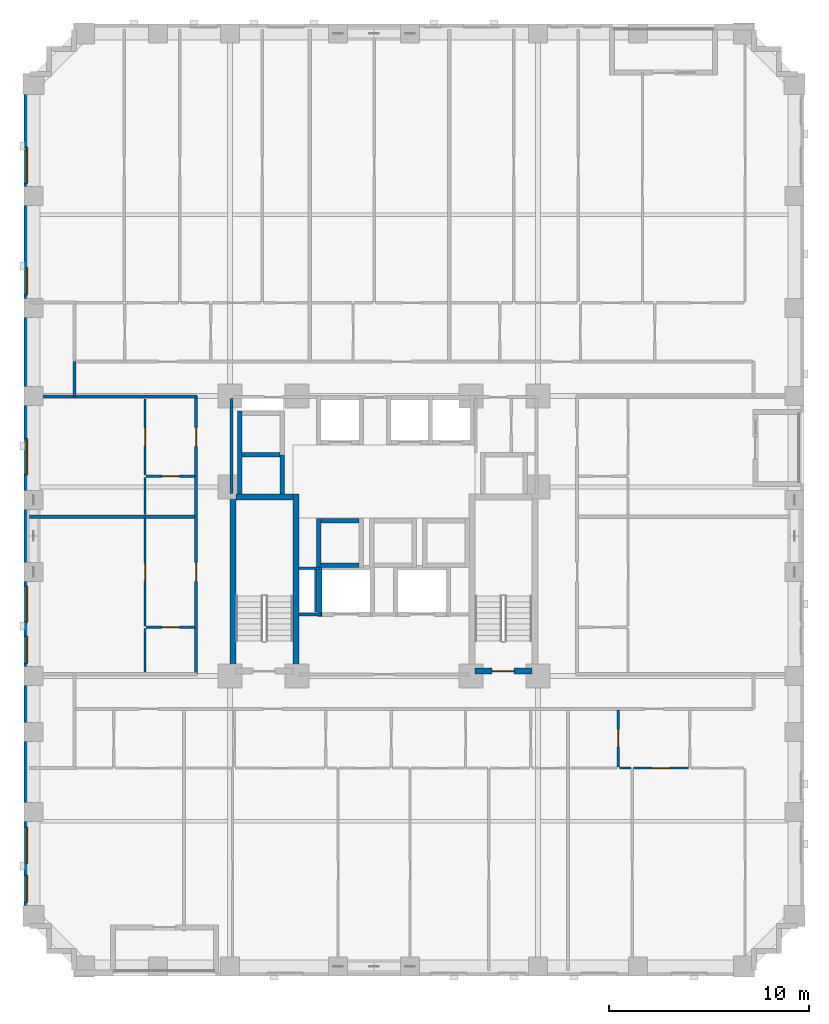
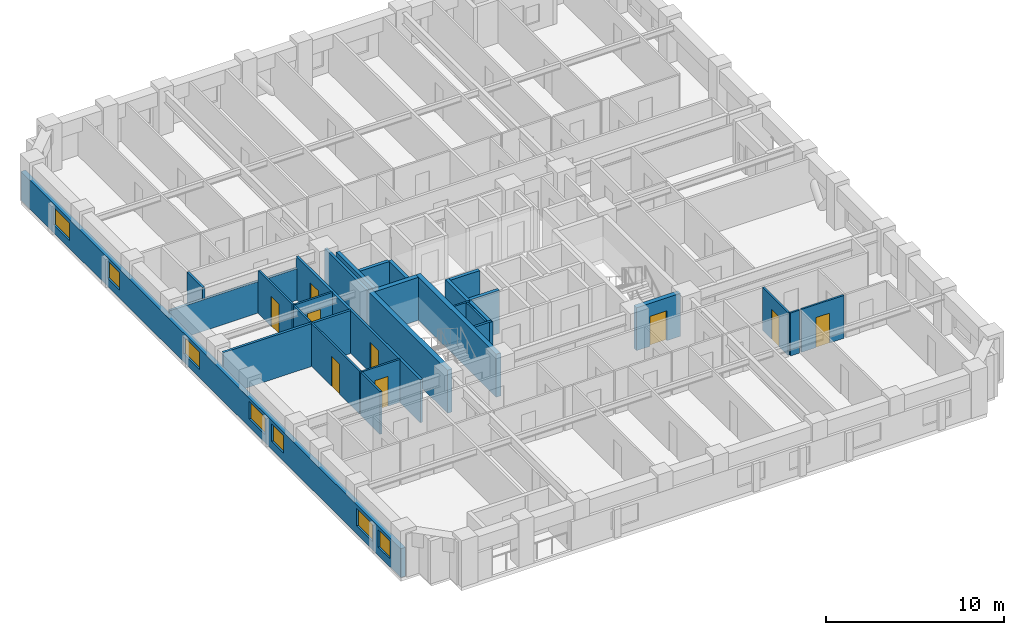
# One storey, part 4 of 13: 29 walls, 9 doors, 7 windows, 16 openings.
"""IFC4 building model written with IfcOpenShell, lengths in metres."""

from ifc_helpers import new_model, si_unit, derived_unit, direction, frame, frame_2d, origin, place, context, subcontext, project, spatial, rectangle, extrude, material, layer, layer_set, type_object, element, fill, save


model = new_model("IFC4")

# Units and contexts
model_context = context("Model", 3, precision=1e-05, world=origin(), true_north=direction((0.0, 1.0)))
body_context = subcontext(model_context, "Body", "Model", "MODEL_VIEW")
ifc_project = project(units=[si_unit("LENGTHUNIT", "METRE"), si_unit("AREAUNIT", "SQUARE_METRE"), si_unit("VOLUMEUNIT", "CUBIC_METRE"), si_unit("PLANEANGLEUNIT", "RADIAN"), si_unit("MASSUNIT", "GRAM", prefix="KILO"), derived_unit("THERMALTRANSMITTANCEUNIT", [(si_unit("MASSUNIT", "GRAM", prefix="KILO"), 1), (si_unit("TIMEUNIT", "SECOND"), -3), (si_unit("THERMODYNAMICTEMPERATUREUNIT", "KELVIN"), -1)])], contexts=[model_context])

# Site, building, storey
site_placement = place(None, origin())
site = spatial("IfcSite", under=ifc_project, at=site_placement, CompositionType="ELEMENT")
building_placement = place(site_placement, origin())
building = spatial("IfcBuilding", under=site, at=building_placement, Name="Korrvale Station Residences", CompositionType="ELEMENT")
storey_placement = place(building_placement, frame((0.0, 0.0, 32.199951171875)))
storey = spatial("IfcBuildingStorey", under=building, at=storey_placement, Name="L07", CompositionType="ELEMENT", Elevation=32.199951171875)

# Walls
ifc_material_1 = material(Name="Concrete C70/85", Category="concrete")
ifc_layer_1 = layer(ifc_material_1, 0.300048828125, Name="Concrete C70/85")
ifc_layer_set_1 = layer_set([ifc_layer_1], Name="Concrete C70/85")
wall_type_1 = type_object("IfcWallType", Name="WAL-CORE-300-C70", PredefinedType="SHEAR", material=ifc_layer_set_1)
for number, where, z_axis, x_axis, name in (
    (1, (17.949951171875, 15.10009765625, 0.0), (0.0, 0.0, 1.0), (0.0, 1.0, 0.0), "L07 ST-1 Core Shear Wall West"),
    (2, (21.10009765625, 15.10009765625, 0.0), (0.0, 0.0, 1.0), (0.0, 1.0, 0.0), "L07 ST-1 Core Shear Wall East"),
):
    element("IfcWall", number, at=place(storey_placement, frame(where, z_axis=z_axis, x_axis=x_axis)), inside=storey, type_object=wall_type_1, Name=name, PredefinedType="SHEAR", context=body_context, shape_type="SweptSolid", body=[
        extrude(rectangle(XDim=9.0, YDim=0.300048828125, at=frame_2d((4.5, 0.0))), origin(), (0.0, 0.0, 1.0), 2.93994140625),
    ])
wall_1_placement = place(storey_placement, frame((18.10009765625, 23.949951171875, 0.0), z_axis=(0.0, 0.0, 1.0), x_axis=(1.0, 0.0, 0.0)))
element("IfcWall", 3, at=wall_1_placement, inside=storey, type_object=wall_type_1, Name="L07 ST-1 Core Shear Wall North", PredefinedType="SHEAR", context=body_context, shape_type="SweptSolid", body=[
    extrude(rectangle(XDim=2.849853515625, YDim=0.300048828125, at=frame_2d((1.4248046875, 0.0))), origin(), (0.0, 0.0, 1.0), 2.93994140625),
])

# Wall, opening, door
wall_2_placement = place(storey_placement, frame((30.050048828125, 15.25, 0.0), z_axis=(0.0, 0.0, 1.0), x_axis=(1.0, 0.0, 0.0)))
wall_2 = element("IfcWall", 4, at=wall_2_placement, inside=storey, type_object=wall_type_1, Name="L07 ST-2 Core Shear Wall South", PredefinedType="SHEAR", context=body_context, shape_type="SweptSolid", body=[
    extrude(rectangle(XDim=2.849853515625, YDim=0.300048828125, at=frame_2d((1.4248046875, 0.0))), origin(), (0.0, 0.0, 1.0), 2.93994140625),
])
opening_1_placement = place(wall_2_placement, frame((0.860107421875, 0.0, 0.0)))
opening_1 = element("IfcOpeningElement", 5, at=opening_1_placement, cuts=wall_2, Name="Opening SD-1100", PredefinedType="OPENING", context=body_context, shape_type="SweptSolid", body=[
    extrude(rectangle(XDim=1.10009765625, YDim=2.050048828125, at=frame_2d((0.550048828125, 1.02490234375))), frame((0.0, 0.16015625, 0.0), z_axis=(0.0, -1.0, 0.0), x_axis=(1.0, 0.0, 0.0)), (0.0, 0.0, 1.0), 0.320068359375),
])
ifc_material_2 = material(Name="Hollow-metal fire-rated stair door with closer", Category="steel")
door_type_1 = type_object("IfcDoorType", Name="DR-STAIR-1100", OperationType="NOTDEFINED", PredefinedType="DOOR", material=ifc_material_2)
door_1_placement = place(opening_1_placement, origin())
door_1 = element("IfcDoor", 6, at=door_1_placement, inside=storey, type_object=door_type_1, Name="L07 ST-2 Exit Stair Door", OperationType="SINGLE_SWING_RIGHT", OverallHeight=2.050048828125, OverallWidth=1.10009765625, PredefinedType="DOOR", context=body_context, shape_type="SweptSolid", body=[
    extrude(rectangle(XDim=1.10009765625, YDim=2.050048828125, at=frame_2d((0.550048828125, 1.02490234375))), frame((0.0, 0.02490234375, 0.0), z_axis=(0.0, -1.0, 0.0), x_axis=(1.0, 0.0, 0.0)), (0.0, 0.0, 1.0), 0.050048828125),
])
fill(opening_1, door_1)

# Wall, openings, windows
ifc_material_3 = material(Name="Precast concrete C45/55", Category="concrete")
ifc_layer_2 = layer(ifc_material_3, 0.300048828125, Name="Precast concrete C45/55")
ifc_layer_set_2 = layer_set([ifc_layer_2], Name="Precast concrete C45/55")
wall_type_2 = type_object("IfcWallType", Name="WAL-EXT-PC300", PredefinedType="SOLIDWALL", material=ifc_layer_set_2)
wall_3_placement = place(storey_placement, frame((7.64990234375, 2.5, 0.0), z_axis=(0.0, 0.0, 1.0), x_axis=(0.0, 1.0, 0.0)))
wall_3 = element("IfcWall", 7, at=wall_3_placement, inside=storey, type_object=wall_type_2, Name="L07 West Exterior Precast Wall 1", PredefinedType="SOLIDWALL", context=body_context, shape_type="SweptSolid", body=[
    extrude(rectangle(XDim=42.60009765625, YDim=0.300048828125, at=frame_2d((21.300048828125, 0.0))), origin(), (0.0, 0.0, 1.0), 1.97509765625),
])
opening_2_placement = place(wall_3_placement, frame((3.14990234375, 0.0, 0.550048828125)))
opening_2 = element("IfcOpeningElement", 8, at=opening_2_placement, cuts=wall_3, Name="Opening W-09", PredefinedType="OPENING", context=body_context, shape_type="SweptSolid", body=[
    extrude(rectangle(XDim=1.800048828125, YDim=1.199951171875, at=frame_2d((0.89990234375, 0.60009765625))), frame((0.0, 0.16015625, 0.0), z_axis=(0.0, -1.0, 0.0), x_axis=(1.0, 0.0, 0.0)), (0.0, 0.0, 1.0), 0.320068359375),
])
opening_3_placement = place(wall_3_placement, frame((1.18505859375, 0.0, 0.550048828125)))
opening_3 = element("IfcOpeningElement", 9, at=opening_3_placement, cuts=wall_3, Name="Opening W-10", PredefinedType="OPENING", context=body_context, shape_type="SweptSolid", body=[
    extrude(rectangle(XDim=1.35009765625, YDim=1.199951171875, at=frame_2d((0.675048828125, 0.60009765625))), frame((0.0, 0.16015625, 0.0), z_axis=(0.0, -1.0, 0.0), x_axis=(1.0, 0.0, 0.0)), (0.0, 0.0, 1.0), 0.320068359375),
])
opening_4_placement = place(wall_3_placement, frame((37.135009765625, 0.0, 0.550048828125)))
opening_4 = element("IfcOpeningElement", 10, at=opening_4_placement, cuts=wall_3, Name="Opening W-09", PredefinedType="OPENING", context=body_context, shape_type="SweptSolid", body=[
    extrude(rectangle(XDim=1.800048828125, YDim=1.199951171875, at=frame_2d((0.89990234375, 0.60009765625))), frame((0.0, 0.16015625, 0.0), z_axis=(0.0, -1.0, 0.0), x_axis=(1.0, 0.0, 0.0)), (0.0, 0.0, 1.0), 0.320068359375),
])
opening_5_placement = place(wall_3_placement, frame((31.550048828125, 0.0, 0.550048828125)))
opening_5 = element("IfcOpeningElement", 11, at=opening_5_placement, cuts=wall_3, Name="Opening W-10", PredefinedType="OPENING", context=body_context, shape_type="SweptSolid", body=[
    extrude(rectangle(XDim=1.35009765625, YDim=1.199951171875, at=frame_2d((0.675048828125, 0.60009765625))), frame((0.0, 0.16015625, 0.0), z_axis=(0.0, -1.0, 0.0), x_axis=(1.0, 0.0, 0.0)), (0.0, 0.0, 1.0), 0.320068359375),
])
opening_6_placement = place(wall_3_placement, frame((15.199951171875, 0.0, 0.550048828125)))
opening_6 = element("IfcOpeningElement", 12, at=opening_6_placement, cuts=wall_3, Name="Opening W-09", PredefinedType="OPENING", context=body_context, shape_type="SweptSolid", body=[
    extrude(rectangle(XDim=1.800048828125, YDim=1.199951171875, at=frame_2d((0.89990234375, 0.60009765625))), frame((0.0, 0.16015625, 0.0), z_axis=(0.0, -1.0, 0.0), x_axis=(1.0, 0.0, 0.0)), (0.0, 0.0, 1.0), 0.320068359375),
])
opening_7_placement = place(wall_3_placement, frame((13.135009765625, 0.0, 0.550048828125)))
opening_7 = element("IfcOpeningElement", 13, at=opening_7_placement, cuts=wall_3, Name="Opening W-10", PredefinedType="OPENING", context=body_context, shape_type="SweptSolid", body=[
    extrude(rectangle(XDim=1.35009765625, YDim=1.199951171875, at=frame_2d((0.675048828125, 0.60009765625))), frame((0.0, 0.16015625, 0.0), z_axis=(0.0, -1.0, 0.0), x_axis=(1.0, 0.0, 0.0)), (0.0, 0.0, 1.0), 0.320068359375),
])
opening_8_placement = place(wall_3_placement, frame((22.574951171875, 0.0, 0.550048828125)))
opening_8 = element("IfcOpeningElement", 14, at=opening_8_placement, cuts=wall_3, Name="Opening W-09", PredefinedType="OPENING", context=body_context, shape_type="SweptSolid", body=[
    extrude(rectangle(XDim=1.800048828125, YDim=1.199951171875, at=frame_2d((0.89990234375, 0.60009765625))), frame((0.0, 0.16015625, 0.0), z_axis=(0.0, -1.0, 0.0), x_axis=(1.0, 0.0, 0.0)), (0.0, 0.0, 1.0), 0.320068359375),
])
ifc_material_4 = material(Name="Thermally broken aluminium frame with triple low-e glazing", Category="aluminium")
window_type_1 = type_object("IfcWindowType", Name="WIN-W09", PartitioningType="DOUBLE_PANEL_VERTICAL", PredefinedType="WINDOW", material=ifc_material_4)
window_1_placement = place(opening_2_placement, origin())
window_1 = element("IfcWindow", 15, at=window_1_placement, inside=storey, type_object=window_type_1, Name="L07 Punched Window 01", OverallHeight=1.199951171875, OverallWidth=1.800048828125, PartitioningType="DOUBLE_PANEL_VERTICAL", PredefinedType="WINDOW", context=body_context, shape_type="SweptSolid", body=[
    extrude(rectangle(XDim=1.800048828125, YDim=1.199951171875, at=frame_2d((0.89990234375, 0.60009765625))), frame((0.0, 0.030029296875, 0.0), z_axis=(0.0, -1.0, 0.0), x_axis=(1.0, 0.0, 0.0)), (0.0, 0.0, 1.0), 0.06005859375),
])
fill(opening_2, window_1)
window_2_placement = place(opening_4_placement, origin())
window_2 = element("IfcWindow", 16, at=window_2_placement, inside=storey, type_object=window_type_1, Name="L07 Punched Window 10", OverallHeight=1.199951171875, OverallWidth=1.800048828125, PartitioningType="DOUBLE_PANEL_VERTICAL", PredefinedType="WINDOW", context=body_context, shape_type="SweptSolid", body=[
    extrude(rectangle(XDim=1.800048828125, YDim=1.199951171875, at=frame_2d((0.89990234375, 0.60009765625))), frame((0.0, 0.030029296875, 0.0), z_axis=(0.0, -1.0, 0.0), x_axis=(1.0, 0.0, 0.0)), (0.0, 0.0, 1.0), 0.06005859375),
])
fill(opening_4, window_2)
window_3_placement = place(opening_6_placement, origin())
window_3 = element("IfcWindow", 17, at=window_3_placement, inside=storey, type_object=window_type_1, Name="L07 Punched Window 21", OverallHeight=1.199951171875, OverallWidth=1.800048828125, PartitioningType="DOUBLE_PANEL_VERTICAL", PredefinedType="WINDOW", context=body_context, shape_type="SweptSolid", body=[
    extrude(rectangle(XDim=1.800048828125, YDim=1.199951171875, at=frame_2d((0.89990234375, 0.60009765625))), frame((0.0, 0.030029296875, 0.0), z_axis=(0.0, -1.0, 0.0), x_axis=(1.0, 0.0, 0.0)), (0.0, 0.0, 1.0), 0.06005859375),
])
fill(opening_6, window_3)
window_4_placement = place(opening_8_placement, origin())
window_4 = element("IfcWindow", 18, at=window_4_placement, inside=storey, type_object=window_type_1, Name="L07 Punched Window 23", OverallHeight=1.199951171875, OverallWidth=1.800048828125, PartitioningType="DOUBLE_PANEL_VERTICAL", PredefinedType="WINDOW", context=body_context, shape_type="SweptSolid", body=[
    extrude(rectangle(XDim=1.800048828125, YDim=1.199951171875, at=frame_2d((0.89990234375, 0.60009765625))), frame((0.0, 0.030029296875, 0.0), z_axis=(0.0, -1.0, 0.0), x_axis=(1.0, 0.0, 0.0)), (0.0, 0.0, 1.0), 0.06005859375),
])
fill(opening_8, window_4)
window_type_2 = type_object("IfcWindowType", Name="WIN-W10", PartitioningType="SINGLE_PANEL", PredefinedType="WINDOW", material=ifc_material_4)
window_5_placement = place(opening_3_placement, origin())
window_5 = element("IfcWindow", 19, at=window_5_placement, inside=storey, type_object=window_type_2, Name="L07 Punched Window 02", OverallHeight=1.199951171875, OverallWidth=1.35009765625, PartitioningType="SINGLE_PANEL", PredefinedType="WINDOW", context=body_context, shape_type="SweptSolid", body=[
    extrude(rectangle(XDim=1.35009765625, YDim=1.199951171875, at=frame_2d((0.675048828125, 0.60009765625))), frame((0.0, 0.030029296875, 0.0), z_axis=(0.0, -1.0, 0.0), x_axis=(1.0, 0.0, 0.0)), (0.0, 0.0, 1.0), 0.06005859375),
])
fill(opening_3, window_5)
window_6_placement = place(opening_5_placement, origin())
window_6 = element("IfcWindow", 20, at=window_6_placement, inside=storey, type_object=window_type_2, Name="L07 Punched Window 11", OverallHeight=1.199951171875, OverallWidth=1.35009765625, PartitioningType="SINGLE_PANEL", PredefinedType="WINDOW", context=body_context, shape_type="SweptSolid", body=[
    extrude(rectangle(XDim=1.35009765625, YDim=1.199951171875, at=frame_2d((0.675048828125, 0.60009765625))), frame((0.0, 0.030029296875, 0.0), z_axis=(0.0, -1.0, 0.0), x_axis=(1.0, 0.0, 0.0)), (0.0, 0.0, 1.0), 0.06005859375),
])
fill(opening_5, window_6)
window_7_placement = place(opening_7_placement, origin())
window_7 = element("IfcWindow", 21, at=window_7_placement, inside=storey, type_object=window_type_2, Name="L07 Punched Window 22", OverallHeight=1.199951171875, OverallWidth=1.35009765625, PartitioningType="SINGLE_PANEL", PredefinedType="WINDOW", context=body_context, shape_type="SweptSolid", body=[
    extrude(rectangle(XDim=1.35009765625, YDim=1.199951171875, at=frame_2d((0.675048828125, 0.60009765625))), frame((0.0, 0.030029296875, 0.0), z_axis=(0.0, -1.0, 0.0), x_axis=(1.0, 0.0, 0.0)), (0.0, 0.0, 1.0), 0.06005859375),
])
fill(opening_7, window_7)

# Walls
ifc_material_5 = material(Name="Acoustic steel-stud gypsum board partition", Category="steel")
ifc_layer_3 = layer(ifc_material_5, 0.1201171875, Name="Acoustic steel-stud gypsum board partition")
ifc_layer_set_3 = layer_set([ifc_layer_3], Name="Acoustic steel-stud gypsum board partition")
wall_type_3 = type_object("IfcWallType", Name="WAL-PART-125", PredefinedType="PARTITIONING", material=ifc_layer_set_3)
wall_4_placement = place(storey_placement, frame((22.080078125, 18.199951171875, 0.0), z_axis=(0.0, 0.0, 1.0), x_axis=(0.0, 1.0, 0.0)))
element("IfcWall", 22, at=wall_4_placement, inside=storey, type_object=wall_type_3, Name="L07 Core Partition CW-RSWT", PredefinedType="PARTITIONING", context=body_context, shape_type="SweptSolid", body=[
    extrude(rectangle(XDim=2.1201171875, YDim=0.1201171875, at=frame_2d((1.06005859375, 0.0))), origin(), (0.0, 0.0, 1.0), 2.93994140625),
])
wall_5_placement = place(storey_placement, frame((22.280029296875, 20.3798828125, 0.0), z_axis=(0.0, 0.0, 1.0), x_axis=(-1.0, 0.0, 0.0)))
element("IfcWall", 23, at=wall_5_placement, inside=storey, type_object=wall_type_3, Name="L07 Core Partition CW-RSWT-N", PredefinedType="PARTITIONING", context=body_context, shape_type="SweptSolid", body=[
    extrude(rectangle(XDim=1.02001953125, YDim=0.1201171875, at=frame_2d((0.510009765625, 0.0))), origin(), (0.0, 0.0, 1.0), 2.93994140625),
])

# Wall, opening, door
wall_6_placement = place(storey_placement, frame((37.216064453125, 10.4599609375, 0.0), z_axis=(0.0, 0.0, 1.0), x_axis=(0.0, 1.0, 0.0)))
wall_6 = element("IfcWall", 24, at=wall_6_placement, inside=storey, type_object=wall_type_3, Name="L07 Suite Partition U03-V01", PredefinedType="PARTITIONING", context=body_context, shape_type="SweptSolid", body=[
    extrude(rectangle(XDim=2.85009765625, YDim=0.1201171875, at=frame_2d((1.425048828125, 0.0))), origin(), (0.0, 0.0, 1.0), 2.93994140625),
])
opening_9_placement = place(wall_6_placement, frame((0.9951171875, 0.0, 0.0)))
opening_9 = element("IfcOpeningElement", 25, at=opening_9_placement, cuts=wall_6, Name="Opening DB-860", PredefinedType="OPENING", context=body_context, shape_type="SweptSolid", body=[
    extrude(rectangle(XDim=0.860107421875, YDim=2.050048828125, at=frame_2d((0.43017578125, 1.02490234375))), frame((0.0, 0.070068359375, 0.0), z_axis=(0.0, -1.0, 0.0), x_axis=(1.0, 0.0, 0.0)), (0.0, 0.0, 1.0), 0.14013671875),
])
ifc_material_6 = material(Name="Moisture-resistant solid-core bathroom door", Category="timber")
door_type_2 = type_object("IfcDoorType", Name="DR-BATH-860", OperationType="NOTDEFINED", PredefinedType="DOOR", material=ifc_material_6)
door_2_placement = place(opening_9_placement, origin())
door_2 = element("IfcDoor", 26, at=door_2_placement, inside=storey, type_object=door_type_2, Name="L07 Studio Apartment L07-U03 Bathroom Door", OperationType="SINGLE_SWING_RIGHT", OverallHeight=2.050048828125, OverallWidth=0.860107421875, PredefinedType="DOOR", context=body_context, shape_type="SweptSolid", body=[
    extrude(rectangle(XDim=0.860107421875, YDim=2.050048828125, at=frame_2d((0.43017578125, 1.02490234375))), frame((0.0, 0.02490234375, 0.0), z_axis=(0.0, -1.0, 0.0), x_axis=(1.0, 0.0, 0.0)), (0.0, 0.0, 1.0), 0.050048828125),
])
fill(opening_9, door_2)

# Wall
wall_7_placement = place(storey_placement, frame((37.27587890625, 10.39990234375, 0.0), z_axis=(0.0, 0.0, 1.0), x_axis=(1.0, 0.0, 0.0)))
element("IfcWall", 27, at=wall_7_placement, inside=storey, type_object=wall_type_3, Name="L07 Suite Partition U03-H13", PredefinedType="PARTITIONING", context=body_context, shape_type="SweptSolid", body=[
    extrude(rectangle(XDim=0.580078125, YDim=0.1201171875, at=frame_2d((0.2900390625, 0.0))), origin(), (0.0, 0.0, 1.0), 2.93994140625),
])

# Wall, opening, door
wall_8_placement = place(storey_placement, frame((37.97607421875, 10.39990234375, 0.0), z_axis=(0.0, 0.0, 1.0), x_axis=(1.0, 0.0, 0.0)))
wall_8 = element("IfcWall", 28, at=wall_8_placement, inside=storey, type_object=wall_type_3, Name="L07 Suite Partition U03-H14", PredefinedType="PARTITIONING", context=body_context, shape_type="SweptSolid", body=[
    extrude(rectangle(XDim=2.75, YDim=0.1201171875, at=frame_2d((1.375, 0.0))), origin(), (0.0, 0.0, 1.0), 2.93994140625),
])
opening_10_placement = place(wall_8_placement, frame((0.925048828125, 0.0, 0.0)))
opening_10 = element("IfcOpeningElement", 29, at=opening_10_placement, cuts=wall_8, Name="Opening DI-900", PredefinedType="OPENING", context=body_context, shape_type="SweptSolid", body=[
    extrude(rectangle(XDim=0.89990234375, YDim=2.050048828125, at=frame_2d((0.449951171875, 1.02490234375))), frame((0.0, 0.070068359375, 0.0), z_axis=(0.0, -1.0, 0.0), x_axis=(1.0, 0.0, 0.0)), (0.0, 0.0, 1.0), 0.14013671875),
])
ifc_material_7 = material(Name="Painted solid-core timber interior room door", Category="wood")
door_type_3 = type_object("IfcDoorType", Name="DR-INT-900", OperationType="NOTDEFINED", PredefinedType="DOOR", material=ifc_material_7)
door_3_placement = place(opening_10_placement, origin())
door_3 = element("IfcDoor", 30, at=door_3_placement, inside=storey, type_object=door_type_3, Name="L07 Studio Apartment L07-U03 Kitchen Door", OperationType="SINGLE_SWING_RIGHT", OverallHeight=2.050048828125, OverallWidth=0.89990234375, PredefinedType="DOOR", context=body_context, shape_type="SweptSolid", body=[
    extrude(rectangle(XDim=0.89990234375, YDim=2.050048828125, at=frame_2d((0.449951171875, 1.02490234375))), frame((0.0, 0.02490234375, 0.0), z_axis=(0.0, -1.0, 0.0), x_axis=(1.0, 0.0, 0.0)), (0.0, 0.0, 1.0), 0.050048828125),
])
fill(opening_10, door_3)

wall_9_placement = place(storey_placement, frame((13.610107421875, 17.428955078125, 0.0), z_axis=(0.0, 0.0, 1.0), x_axis=(1.0, 0.0, 0.0)))
wall_9 = element("IfcWall", 31, at=wall_9_placement, inside=storey, type_object=wall_type_3, Name="L07 Suite Partition U07-H01", PredefinedType="PARTITIONING", context=body_context, shape_type="SweptSolid", body=[
    extrude(rectangle(XDim=2.449951171875, YDim=0.1201171875, at=frame_2d((1.22509765625, 0.0))), origin(), (0.0, 0.0, 1.0), 2.93994140625),
])
opening_11_placement = place(wall_9_placement, frame((0.794921875, 0.0, 0.0)))
opening_11 = element("IfcOpeningElement", 32, at=opening_11_placement, cuts=wall_9, Name="Opening DB-860", PredefinedType="OPENING", context=body_context, shape_type="SweptSolid", body=[
    extrude(rectangle(XDim=0.860107421875, YDim=2.050048828125, at=frame_2d((0.43017578125, 1.02490234375))), frame((0.0, 0.070068359375, 0.0), z_axis=(0.0, -1.0, 0.0), x_axis=(1.0, 0.0, 0.0)), (0.0, 0.0, 1.0), 0.14013671875),
])
door_4_placement = place(opening_11_placement, origin())
door_4 = element("IfcDoor", 33, at=door_4_placement, inside=storey, type_object=door_type_2, Name="L07 Apartment 1BR L07-U07 Bathroom Door", OperationType="SINGLE_SWING_RIGHT", OverallHeight=2.050048828125, OverallWidth=0.860107421875, PredefinedType="DOOR", context=body_context, shape_type="SweptSolid", body=[
    extrude(rectangle(XDim=0.860107421875, YDim=2.050048828125, at=frame_2d((0.43017578125, 1.02490234375))), frame((0.0, 0.02490234375, 0.0), z_axis=(0.0, -1.0, 0.0), x_axis=(1.0, 0.0, 0.0)), (0.0, 0.0, 1.0), 0.050048828125),
])
fill(opening_11, door_4)

# Wall
wall_10_placement = place(storey_placement, frame((13.550048828125, 15.2099609375, 0.0), z_axis=(0.0, 0.0, 1.0), x_axis=(0.0, 1.0, 0.0)))
element("IfcWall", 34, at=wall_10_placement, inside=storey, type_object=wall_type_3, Name="L07 Suite Partition U07-V02", PredefinedType="PARTITIONING", context=body_context, shape_type="SweptSolid", body=[
    extrude(rectangle(XDim=2.158935546875, YDim=0.1201171875, at=frame_2d((1.07958984375, 0.0))), origin(), (0.0, 0.0, 1.0), 2.93994140625),
])

# Wall, opening, door
wall_11_placement = place(storey_placement, frame((13.550048828125, 17.489013671875, 0.0), z_axis=(0.0, 0.0, 1.0), x_axis=(0.0, 1.0, 0.0)))
wall_11 = element("IfcWall", 35, at=wall_11_placement, inside=storey, type_object=wall_type_3, Name="L07 Suite Partition U07-V12", PredefinedType="PARTITIONING", context=body_context, shape_type="SweptSolid", body=[
    extrude(rectangle(XDim=5.43310546875, YDim=0.1201171875, at=frame_2d((2.716552734375, 0.0))), origin(), (0.0, 0.0, 1.0), 2.93994140625),
])
opening_12_placement = place(wall_11_placement, frame((2.26611328125, 0.0, 0.0)))
opening_12 = element("IfcOpeningElement", 36, at=opening_12_placement, cuts=wall_11, Name="Opening DI-900", PredefinedType="OPENING", context=body_context, shape_type="SweptSolid", body=[
    extrude(rectangle(XDim=0.89990234375, YDim=2.050048828125, at=frame_2d((0.449951171875, 1.02490234375))), frame((0.0, 0.070068359375, 0.0), z_axis=(0.0, -1.0, 0.0), x_axis=(1.0, 0.0, 0.0)), (0.0, 0.0, 1.0), 0.14013671875),
])
door_5_placement = place(opening_12_placement, origin())
door_5 = element("IfcDoor", 37, at=door_5_placement, inside=storey, type_object=door_type_3, Name="L07 Apartment 1BR L07-U07 Kitchen Door", OperationType="SINGLE_SWING_LEFT", OverallHeight=2.050048828125, OverallWidth=0.89990234375, PredefinedType="DOOR", context=body_context, shape_type="SweptSolid", body=[
    extrude(rectangle(XDim=0.89990234375, YDim=2.050048828125, at=frame_2d((0.449951171875, 1.02490234375))), frame((0.0, 0.02490234375, 0.0), z_axis=(0.0, -1.0, 0.0), x_axis=(1.0, 0.0, 0.0)), (0.0, 0.0, 1.0), 0.050048828125),
])
fill(opening_12, door_5)

wall_12_placement = place(storey_placement, frame((13.610107421875, 24.991943359375, 0.0), z_axis=(0.0, 0.0, 1.0), x_axis=(1.0, 0.0, 0.0)))
wall_12 = element("IfcWall", 38, at=wall_12_placement, inside=storey, type_object=wall_type_3, Name="L07 Suite Partition U08-H01", PredefinedType="PARTITIONING", context=body_context, shape_type="SweptSolid", body=[
    extrude(rectangle(XDim=2.449951171875, YDim=0.1201171875, at=frame_2d((1.22509765625, 0.0))), origin(), (0.0, 0.0, 1.0), 2.93994140625),
])
opening_13_placement = place(wall_12_placement, frame((0.794921875, 0.0, 0.0)))
opening_13 = element("IfcOpeningElement", 39, at=opening_13_placement, cuts=wall_12, Name="Opening DB-860", PredefinedType="OPENING", context=body_context, shape_type="SweptSolid", body=[
    extrude(rectangle(XDim=0.860107421875, YDim=2.050048828125, at=frame_2d((0.43017578125, 1.02490234375))), frame((0.0, 0.070068359375, 0.0), z_axis=(0.0, -1.0, 0.0), x_axis=(1.0, 0.0, 0.0)), (0.0, 0.0, 1.0), 0.14013671875),
])
door_6_placement = place(opening_13_placement, origin())
door_6 = element("IfcDoor", 40, at=door_6_placement, inside=storey, type_object=door_type_2, Name="L07 Apartment 1BR L07-U08 Bathroom Door", OperationType="SINGLE_SWING_RIGHT", OverallHeight=2.050048828125, OverallWidth=0.860107421875, PredefinedType="DOOR", context=body_context, shape_type="SweptSolid", body=[
    extrude(rectangle(XDim=0.860107421875, YDim=2.050048828125, at=frame_2d((0.43017578125, 1.02490234375))), frame((0.0, 0.02490234375, 0.0), z_axis=(0.0, -1.0, 0.0), x_axis=(1.0, 0.0, 0.0)), (0.0, 0.0, 1.0), 0.050048828125),
])
fill(opening_13, door_6)

# Wall
wall_13_placement = place(storey_placement, frame((13.550048828125, 23.08203125, 0.0), z_axis=(0.0, 0.0, 1.0), x_axis=(0.0, 1.0, 0.0)))
element("IfcWall", 41, at=wall_13_placement, inside=storey, type_object=wall_type_3, Name="L07 Suite Partition U08-V02", PredefinedType="PARTITIONING", context=body_context, shape_type="SweptSolid", body=[
    extrude(rectangle(XDim=1.849853515625, YDim=0.1201171875, at=frame_2d((0.9248046875, 0.0))), origin(), (0.0, 0.0, 1.0), 2.93994140625),
])

# Wall, opening, door
wall_14_placement = place(storey_placement, frame((13.550048828125, 25.052001953125, 0.0), z_axis=(0.0, 0.0, 1.0), x_axis=(0.0, 1.0, 0.0)))
wall_14 = element("IfcWall", 42, at=wall_14_placement, inside=storey, type_object=wall_type_3, Name="L07 Suite Partition U08-V12", PredefinedType="PARTITIONING", context=body_context, shape_type="SweptSolid", body=[
    extrude(rectangle(XDim=3.80810546875, YDim=0.1201171875, at=frame_2d((1.904052734375, 0.0))), origin(), (0.0, 0.0, 1.0), 2.93994140625),
])
opening_14_placement = place(wall_14_placement, frame((1.4541015625, 0.0, 0.0)))
opening_14 = element("IfcOpeningElement", 43, at=opening_14_placement, cuts=wall_14, Name="Opening DI-900", PredefinedType="OPENING", context=body_context, shape_type="SweptSolid", body=[
    extrude(rectangle(XDim=0.89990234375, YDim=2.050048828125, at=frame_2d((0.449951171875, 1.02490234375))), frame((0.0, 0.070068359375, 0.0), z_axis=(0.0, -1.0, 0.0), x_axis=(1.0, 0.0, 0.0)), (0.0, 0.0, 1.0), 0.14013671875),
])
door_7_placement = place(opening_14_placement, origin())
door_7 = element("IfcDoor", 44, at=door_7_placement, inside=storey, type_object=door_type_3, Name="L07 Apartment 1BR L07-U08 Kitchen Door", OperationType="SINGLE_SWING_LEFT", OverallHeight=2.050048828125, OverallWidth=0.89990234375, PredefinedType="DOOR", context=body_context, shape_type="SweptSolid", body=[
    extrude(rectangle(XDim=0.89990234375, YDim=2.050048828125, at=frame_2d((0.449951171875, 1.02490234375))), frame((0.0, 0.02490234375, 0.0), z_axis=(0.0, -1.0, 0.0), x_axis=(1.0, 0.0, 0.0)), (0.0, 0.0, 1.0), 0.050048828125),
])
fill(opening_14, door_7)

# Walls
ifc_material_8 = material(Name="Fire-rated twin-stud gypsum and mineral wool shaftwall assembly", Category="gypsum")
ifc_layer_4 = layer(ifc_material_8, 0.159912109375, Name="Fire-rated twin-stud gypsum and mineral wool shaftwall assembly")
ifc_layer_set_4 = layer_set([ifc_layer_4], Name="Fire-rated twin-stud gypsum and mineral wool shaftwall assembly")
wall_type_4 = type_object("IfcWallType", Name="WAL-PART-200", PredefinedType="PARTITIONING", material=ifc_layer_set_4)
wall_15_placement = place(storey_placement, frame((21.25, 18.080078125, 0.0), z_axis=(0.0, 0.0, 1.0), x_axis=(1.0, 0.0, 0.0)))
element("IfcWall", 45, at=wall_15_placement, inside=storey, type_object=wall_type_4, Name="L07 Core Partition CW-FFL-N1", PredefinedType="PARTITIONING", context=body_context, shape_type="SweptSolid", body=[
    extrude(rectangle(XDim=1.10009765625, YDim=0.159912109375, at=frame_2d((0.550048828125, 0.0))), origin(), (0.0, 0.0, 1.0), 2.93994140625),
])
wall_16_placement = place(storey_placement, frame((17.8798828125, 24.1201171875, 0.0), z_axis=(0.0, 0.0, 1.0), x_axis=(0.0, 1.0, 0.0)))
element("IfcWall", 46, at=wall_16_placement, inside=storey, type_object=wall_type_4, Name="L07 Core Partition CW-W-N", PredefinedType="PARTITIONING", context=body_context, shape_type="SweptSolid", body=[
    extrude(rectangle(XDim=4.759765625, YDim=0.159912109375, at=frame_2d((2.3798828125, 0.0))), origin(), (0.0, 0.0, 1.0), 2.93994140625),
])
wall_17_placement = place(storey_placement, frame((10.02001953125, 28.97998046875, 0.0), z_axis=(0.0, 0.0, 1.0), x_axis=(0.0, 1.0, 0.0)))
element("IfcWall", 47, at=wall_17_placement, inside=storey, type_object=wall_type_4, Name="L07 Corridor North West Cap", PredefinedType="PARTITIONING", context=body_context, shape_type="SweptSolid", body=[
    extrude(rectangle(XDim=1.739990234375, YDim=0.159912109375, at=frame_2d((0.8701171875, 0.0))), origin(), (0.0, 0.0, 1.0), 2.93994140625),
])
wall_18_placement = place(storey_placement, frame((7.780029296875, 28.97998046875, 0.0), z_axis=(0.0, 0.0, 1.0), x_axis=(1.0, 0.0, 0.0)))
element("IfcWall", 48, at=wall_18_placement, inside=storey, type_object=wall_type_4, Name="L07 West Wing North Corridor Wall", PredefinedType="PARTITIONING", context=body_context, shape_type="SweptSolid", body=[
    extrude(rectangle(XDim=8.35986328125, YDim=0.159912109375, at=frame_2d((4.179931640625, 0.0))), origin(), (0.0, 0.0, 1.0), 2.155029296875),
])
wall_19_placement = place(storey_placement, frame((7.780029296875, 22.9619140625, 0.0), z_axis=(0.0, 0.0, 1.0), x_axis=(1.0, 0.0, 0.0)))
element("IfcWall", 49, at=wall_19_placement, inside=storey, type_object=wall_type_4, Name="L07 Demising Wall U07-N", PredefinedType="PARTITIONING", context=body_context, shape_type="SweptSolid", body=[
    extrude(rectangle(XDim=8.280029296875, YDim=0.159912109375, at=frame_2d((4.14013671875, 0.0))), origin(), (0.0, 0.0, 1.0), 2.93994140625),
])

# Wall, openings, doors
wall_20_placement = place(storey_placement, frame((16.10009765625, 15.070068359375, 0.0), z_axis=(0.0, 0.0, 1.0), x_axis=(0.0, 1.0, 0.0)))
wall_20 = element("IfcWall", 50, at=wall_20_placement, inside=storey, type_object=wall_type_4, Name="L07 Rated Corridor Wall W", PredefinedType="PARTITIONING", context=body_context, shape_type="SweptSolid", body=[
    extrude(rectangle(XDim=13.929931640625, YDim=0.159912109375, at=frame_2d((6.96484375, 0.0))), origin(), (0.0, 0.0, 1.0), 2.93994140625),
])
opening_15_placement = place(wall_20_placement, frame((4.660888671875, 0.0, 0.0)))
opening_15 = element("IfcOpeningElement", 51, at=opening_15_placement, cuts=wall_20, Name="Opening UD-950", PredefinedType="OPENING", context=body_context, shape_type="SweptSolid", body=[
    extrude(rectangle(XDim=0.949951171875, YDim=2.10009765625, at=frame_2d((0.47509765625, 1.050048828125))), frame((0.0, 0.08984375, 0.0), z_axis=(0.0, -1.0, 0.0), x_axis=(1.0, 0.0, 0.0)), (0.0, 0.0, 1.0), 0.179931640625),
])
opening_16_placement = place(wall_20_placement, frame((11.410888671875, 0.0, 0.0)))
opening_16 = element("IfcOpeningElement", 52, at=opening_16_placement, cuts=wall_20, Name="Opening UD-950", PredefinedType="OPENING", context=body_context, shape_type="SweptSolid", body=[
    extrude(rectangle(XDim=0.949951171875, YDim=2.10009765625, at=frame_2d((0.47509765625, 1.050048828125))), frame((0.0, 0.08984375, 0.0), z_axis=(0.0, -1.0, 0.0), x_axis=(1.0, 0.0, 0.0)), (0.0, 0.0, 1.0), 0.179931640625),
])
ifc_material_9 = material(Name="Solid-core acoustic oak apartment entrance door", Category="timber")
door_type_4 = type_object("IfcDoorType", Name="DR-UNIT-950", OperationType="NOTDEFINED", PredefinedType="DOOR", material=ifc_material_9)
door_8_placement = place(opening_15_placement, origin())
door_8 = element("IfcDoor", 53, at=door_8_placement, inside=storey, type_object=door_type_4, Name="L07 Apartment L07-U07 Entrance Door", OperationType="SINGLE_SWING_RIGHT", OverallHeight=2.10009765625, OverallWidth=0.949951171875, PredefinedType="DOOR", context=body_context, shape_type="SweptSolid", body=[
    extrude(rectangle(XDim=0.949951171875, YDim=2.10009765625, at=frame_2d((0.47509765625, 1.050048828125))), frame((0.0, 0.02490234375, 0.0), z_axis=(0.0, -1.0, 0.0), x_axis=(1.0, 0.0, 0.0)), (0.0, 0.0, 1.0), 0.050048828125),
])
fill(opening_15, door_8)
door_9_placement = place(opening_16_placement, origin())
door_9 = element("IfcDoor", 54, at=door_9_placement, inside=storey, type_object=door_type_4, Name="L07 Apartment L07-U08 Entrance Door", OperationType="SINGLE_SWING_LEFT", OverallHeight=2.10009765625, OverallWidth=0.949951171875, PredefinedType="DOOR", context=body_context, shape_type="SweptSolid", body=[
    extrude(rectangle(XDim=0.949951171875, YDim=2.10009765625, at=frame_2d((0.47509765625, 1.050048828125))), frame((0.0, 0.02490234375, 0.0), z_axis=(0.0, -1.0, 0.0), x_axis=(1.0, 0.0, 0.0)), (0.0, 0.0, 1.0), 0.050048828125),
])
fill(opening_16, door_9)

# Walls
ifc_layer_5 = layer(ifc_material_1, 0.219970703125, Name="Concrete C70/85")
ifc_layer_set_5 = layer_set([ifc_layer_5], Name="Concrete C70/85")
wall_type_5 = type_object("IfcWallType", Name="WAL-SHAFT-220-C70", PredefinedType="SHEAR", material=ifc_layer_set_5)
for number, where, z_axis, x_axis, name in (
    (55, (22.35009765625, 20.5400390625, 0.0), (0.0, 0.0, 1.0), (1.0, 0.0, 0.0), "L07 Elevator PM-1 Hoistway Wall South"),
    (56, (22.35009765625, 22.760009765625, 0.0), (0.0, 0.0, 1.0), (1.0, 0.0, 0.0), "L07 Elevator PM-1 Hoistway Wall North"),
):
    element("IfcWall", number, at=place(storey_placement, frame(where, z_axis=z_axis, x_axis=x_axis)), inside=storey, type_object=wall_type_5, Name=name, PredefinedType="SHEAR", context=body_context, shape_type="SweptSolid", body=[
        extrude(rectangle(XDim=1.89990234375, YDim=0.219970703125, at=frame_2d((0.949951171875, 0.0))), origin(), (0.0, 0.0, 1.0), 2.93994140625),
    ])
wall_21_placement = place(storey_placement, frame((22.239990234375, 20.429931640625, 0.0), z_axis=(0.0, 0.0, 1.0), x_axis=(0.0, 1.0, 0.0)))
element("IfcWall", 57, at=wall_21_placement, inside=storey, type_object=wall_type_5, Name="L07 Elevator PM-1 Hoistway Wall West", PredefinedType="SHEAR", context=body_context, shape_type="SweptSolid", body=[
    extrude(rectangle(XDim=2.440185546875, YDim=0.219970703125, at=frame_2d((1.22021484375, 0.0))), origin(), (0.0, 0.0, 1.0), 2.93994140625),
])
wall_22_placement = place(storey_placement, frame((18.2900390625, 24.10009765625, 0.0), z_axis=(0.0, 0.0, 1.0), x_axis=(0.0, 1.0, 0.0)))
element("IfcWall", 58, at=wall_22_placement, inside=storey, type_object=wall_type_5, Name="L07 Elevator PH-1 Hoistway Wall West", PredefinedType="SHEAR", context=body_context, shape_type="SweptSolid", body=[
    extrude(rectangle(XDim=4.139892578125, YDim=0.219970703125, at=frame_2d((2.06982421875, 0.0))), origin(), (0.0, 0.0, 1.0), 2.93994140625),
])
wall_23_placement = place(storey_placement, frame((20.409912109375, 24.10009765625, 0.0), z_axis=(0.0, 0.0, 1.0), x_axis=(0.0, 1.0, 0.0)))
element("IfcWall", 59, at=wall_23_placement, inside=storey, type_object=wall_type_5, Name="L07 Elevator PH-1 Hoistway Wall East", PredefinedType="SHEAR", context=body_context, shape_type="SweptSolid", body=[
    extrude(rectangle(XDim=1.9599609375, YDim=0.219970703125, at=frame_2d((0.97998046875, 0.0))), origin(), (0.0, 0.0, 1.0), 2.93994140625),
])
wall_24_placement = place(storey_placement, frame((18.39990234375, 26.06005859375, 0.0), z_axis=(0.0, 0.0, 1.0), x_axis=(1.0, 0.0, 0.0)))
element("IfcWall", 60, at=wall_24_placement, inside=storey, type_object=wall_type_5, Name="L07 Elevator PH-2 Hoistway Wall South", PredefinedType="SHEAR", context=body_context, shape_type="SweptSolid", body=[
    extrude(rectangle(XDim=1.900146484375, YDim=0.219970703125, at=frame_2d((0.9501953125, 0.0))), origin(), (0.0, 0.0, 1.0), 2.93994140625),
])
wall_25_placement = place(storey_placement, frame((22.2900390625, 17.97998046875, 0.0), z_axis=(0.0, 0.0, 1.0), x_axis=(0.0, 1.0, 0.0)))
element("IfcWall", 61, at=wall_25_placement, inside=storey, type_object=wall_type_5, Name="L07 Elevator FFL-1 Hoistway Wall West", PredefinedType="SHEAR", context=body_context, shape_type="SweptSolid", body=[
    extrude(rectangle(XDim=2.5400390625, YDim=0.219970703125, at=frame_2d((1.27001953125, 0.0))), origin(), (0.0, 0.0, 1.0), 2.93994140625),
])

save(model, "model.ifc")
